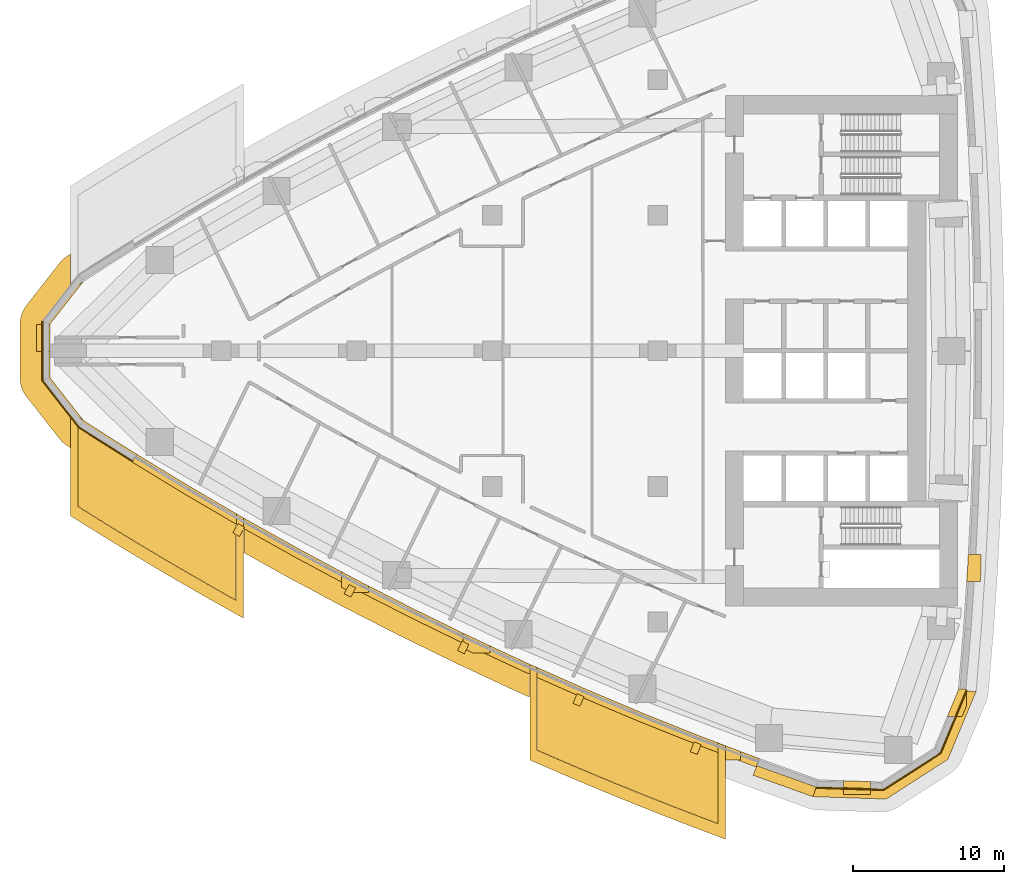
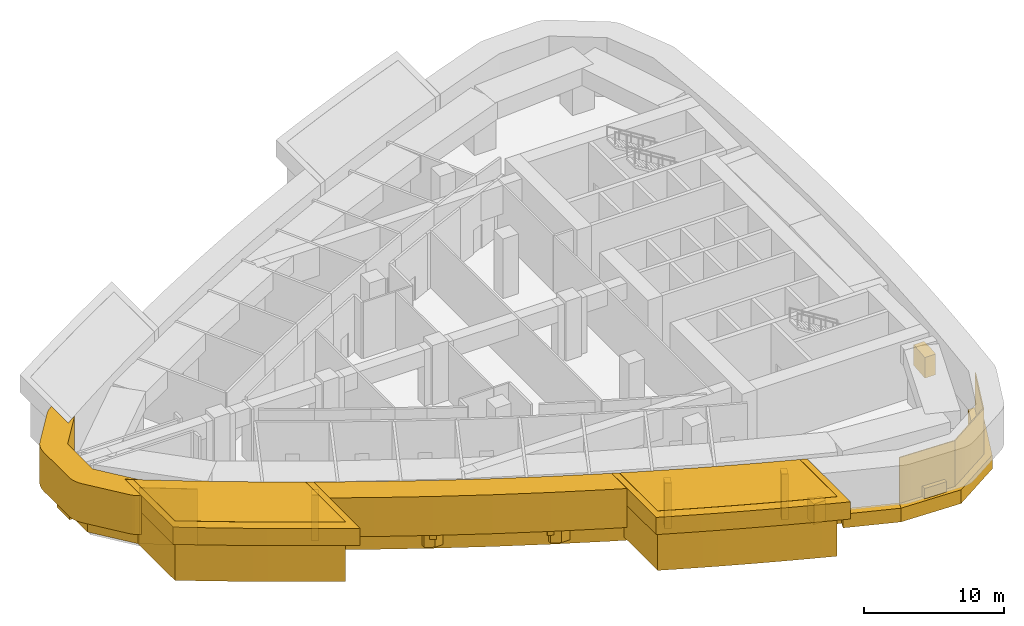
# One storey, part 13 of 17: 27 coverings.
"""IFC4 building model written with IfcOpenShell, lengths in metres."""

from ifc_helpers import new_model, si_unit, direction, frame, frame_2d, origin, place, context, subcontext, project, spatial, polyline, rectangle, outline, extrude, material, layer, layer_set, type_object, element, save


model = new_model("IFC4")

# Units and contexts
model_context = context("Model", 3, precision=1e-05, world=origin(), true_north=direction((0.0, 1.0)))
body_context = subcontext(model_context, "Body", "Model", "MODEL_VIEW")
ifc_project = project(units=[si_unit("LENGTHUNIT", "METRE"), si_unit("AREAUNIT", "SQUARE_METRE"), si_unit("VOLUMEUNIT", "CUBIC_METRE"), si_unit("PLANEANGLEUNIT", "RADIAN"), si_unit("MASSUNIT", "GRAM", prefix="KILO")], contexts=[model_context])

# Site, building, storey
site_placement = place(None, origin())
site = spatial("IfcSite", under=ifc_project, at=site_placement, CompositionType="ELEMENT")
building_placement = place(site_placement, origin())
building = spatial("IfcBuilding", under=site, at=building_placement, Name="Ostrand Prow Hotel Tower", CompositionType="ELEMENT")
storey_placement = place(building_placement, frame((0.0, 0.0, 75.10009765625)))
storey = spatial("IfcBuildingStorey", under=building, at=storey_placement, Name="L17", CompositionType="ELEMENT", Elevation=75.10009765625)

# Coverings
ifc_material_1 = material(Name="Limestone cladding", Category="masonry")
ifc_layer_1 = layer(ifc_material_1, 2.0)
ifc_layer_set_1 = layer_set([ifc_layer_1], Name="Limestone cladding")
covering_type_1 = type_object("IfcCoveringType", Name="Belt lip limestone", PredefinedType="CLADDING", material=ifc_layer_set_1)
covering_1_placement = place(storey_placement, frame((0.0, 0.0, 1.7998046875)))
element("IfcCovering", 1, at=covering_1_placement, inside=storey, type_object=covering_type_1, Name="Belt L17 1", PredefinedType="CLADDING", context=body_context, shape_type="SweptSolid", body=[
    extrude(outline(polyline([(5.789794921875, -6.306884765625), (5.989990234375, -6.433837890625), (5.989990234375, -4.05810546875), (5.989990234375, -4.05712890625), (5.990234375, -4.05615234375), (5.990478515625, -4.05517578125), (5.99072265625, -4.05419921875), (5.9912109375, -4.053466796875), (5.99169921875, -4.052490234375), (5.9921875, -4.0517578125), (5.992919921875, -4.051025390625), (5.99365234375, -4.05029296875), (5.994384765625, -4.0498046875), (5.9951171875, -4.04931640625), (5.99609375, -4.048828125), (5.9970703125, -4.048583984375), (5.998046875, -4.04833984375), (5.998779296875, -4.048095703125), (6.0, -4.048095703125), (6.0009765625, -4.048095703125), (6.001708984375, -4.048095703125), (6.002685546875, -4.048583984375), (6.003662109375, -4.048828125), (6.004638671875, -4.04931640625), (6.00537109375, -4.0498046875), (6.736083984375, -4.5244140625), (6.8408203125, -4.592041015625), (4.649169921875, -1.793701171875), (4.649169921875, 1.793701171875), (6.8408203125, 4.592041015625), (6.736083984375, 4.5244140625), (6.00537109375, 4.0498046875), (6.004638671875, 4.04931640625), (6.003662109375, 4.048828125), (6.002685546875, 4.048583984375), (6.001708984375, 4.048095703125), (6.0009765625, 4.048095703125), (6.0, 4.048095703125), (5.998779296875, 4.048095703125), (5.998046875, 4.04833984375), (5.9970703125, 4.048583984375), (5.99609375, 4.048828125), (5.9951171875, 4.04931640625), (5.994384765625, 4.0498046875), (5.99365234375, 4.05029296875), (5.992919921875, 4.051025390625), (5.9921875, 4.0517578125), (5.99169921875, 4.052490234375), (5.9912109375, 4.053466796875), (5.99072265625, 4.05419921875), (5.990478515625, 4.05517578125), (5.990234375, 4.05615234375), (5.989990234375, 4.05712890625), (5.989990234375, 4.05810546875), (5.989990234375, 6.433837890625), (5.789794921875, 6.306884765625), (5.60498046875, 6.17431640625), (5.436279296875, 6.021728515625), (5.2861328125, 5.850830078125), (3.074462890625, 3.026611328125), (2.96484375, 2.871826171875), (2.8701171875, 2.70751953125), (2.79150390625, 2.53466796875), (2.729736328125, 2.35546875), (2.68505859375, 2.1708984375), (2.658203125, 1.983154296875), (2.649169921875, 1.793701171875), (2.649169921875, -1.793701171875), (2.658203125, -1.983154296875), (2.68505859375, -2.1708984375), (2.729736328125, -2.35546875), (2.79150390625, -2.53466796875), (2.8701171875, -2.70751953125), (2.96484375, -2.871826171875), (3.074462890625, -3.026611328125), (5.2861328125, -5.850830078125), (5.436279296875, -6.021728515625), (5.60498046875, -6.17431640625), (5.789794921875, -6.306884765625)])), origin(), (0.0, 0.0, 1.0), 3.400146484375),
])
covering_2_placement = place(storey_placement, frame((0.0, 0.0, 1.7998046875)))
element("IfcCovering", 2, at=covering_2_placement, inside=storey, type_object=covering_type_1, Name="Belt L17 2", PredefinedType="CLADDING", context=body_context, shape_type="SweptSolid", body=[
    extrude(outline(polyline([(35.433349609375, -22.52294921875), (36.489990234375, -22.9921875), (36.489990234375, -20.810791015625), (36.489990234375, -20.809814453125), (36.490234375, -20.808837890625), (36.490478515625, -20.80810546875), (36.49072265625, -20.806884765625), (36.4912109375, -20.80615234375), (36.49169921875, -20.805419921875), (36.4921875, -20.8046875), (36.244873046875, -20.695068359375), (32.44677734375, -18.92431640625), (28.681884765625, -17.083984375), (24.951416015625, -15.1748046875), (21.2568359375, -13.197509765625), (17.59912109375, -11.152099609375), (17.510009765625, -11.10009765625), (17.510009765625, -13.393798828125), (20.28076171875, -14.943115234375), (20.31298828125, -14.960693359375), (24.0078125, -16.938232421875), (24.040283203125, -16.955322265625), (27.770751953125, -18.864501953125), (27.8037109375, -18.881103515625), (31.568603515625, -20.72119140625), (31.601806640625, -20.737060546875), (35.39990234375, -22.5078125), (35.433349609375, -22.52294921875)])), origin(), (0.0, 0.0, 1.0), 3.400146484375),
])
covering_3_placement = place(storey_placement, origin())
element("IfcCovering", 3, at=covering_3_placement, inside=storey, type_object=covering_type_1, Name="Belt fin 1 L17", PredefinedType="CLADDING", context=body_context, shape_type="SweptSolid", body=[
    extrude(outline(polyline([(4.649169921875, -0.038818359375), (4.649169921875, 1.76123046875), (3.749267578125, 1.76123046875), (3.749267578125, -0.038818359375), (4.649169921875, -0.038818359375)])), origin(), (0.0, 0.0, 1.0), 1.7998046875),
])
covering_4_placement = place(storey_placement, origin())
element("IfcCovering", 4, at=covering_4_placement, inside=storey, type_object=covering_type_1, Name="Belt fin 4 L17", PredefinedType="CLADDING", context=body_context, shape_type="SweptSolid", body=[
    extrude(outline(polyline([(24.54150390625, -15.97607421875), (24.6630859375, -16.038330078125), (25.783203125, -16.038330078125), (25.783203125, -15.6005859375), (24.951416015625, -15.1748046875), (23.983154296875, -14.65673828125), (23.983154296875, -15.677490234375), (24.52685546875, -15.968505859375), (24.54150390625, -15.97607421875)])), origin(), (0.0, 0.0, 1.0), 1.7998046875),
])
covering_5_placement = place(storey_placement, origin())
element("IfcCovering", 5, at=covering_5_placement, inside=storey, type_object=covering_type_1, Name="Belt fin 5 L17", PredefinedType="CLADDING", context=body_context, shape_type="SweptSolid", body=[
    extrude(outline(polyline([(32.072998046875, -19.7431640625), (32.7734375, -20.069580078125), (33.872802734375, -20.069580078125), (33.872802734375, -19.589111328125), (32.44677734375, -18.92431640625), (32.072998046875, -18.74169921875), (32.072998046875, -19.7431640625)])), origin(), (0.0, 0.0, 1.0), 1.7998046875),
])
covering_6_placement = place(storey_placement, origin())
element("IfcCovering", 6, at=covering_6_placement, inside=storey, type_object=covering_type_1, Name="Belt fin 7 L17", PredefinedType="CLADDING", context=body_context, shape_type="SweptSolid", body=[
    extrude(outline(polyline([(49.510009765625, -26.228759765625), (49.510009765625, -27.15625), (50.498779296875, -27.15625), (50.498779296875, -26.59765625), (49.50634765625, -26.22119140625), (49.5068359375, -26.2216796875), (49.507568359375, -26.222412109375), (49.50830078125, -26.22314453125), (49.5087890625, -26.22412109375), (49.50927734375, -26.224853515625), (49.509521484375, -26.225830078125), (49.509765625, -26.226806640625), (49.510009765625, -26.227783203125), (49.510009765625, -26.228759765625)])), origin(), (0.0, 0.0, 1.0), 1.7998046875),
])
covering_7_placement = place(storey_placement, origin())
element("IfcCovering", 7, at=covering_7_placement, inside=storey, type_object=covering_type_1, Name="Belt fin 8 L17", PredefinedType="CLADDING", context=body_context, shape_type="SweptSolid", body=[
    extrude(outline(polyline([(57.341552734375, -29.438720703125), (58.226806640625, -29.468017578125), (59.1416015625, -29.468017578125), (59.1416015625, -28.597412109375), (57.341552734375, -28.538330078125), (57.341552734375, -29.438720703125)])), origin(), (0.0, 0.0, 1.0), 1.7998046875),
])
covering_8_placement = place(storey_placement, origin())
element("IfcCovering", 8, at=covering_8_placement, inside=storey, type_object=covering_type_1, Name="Belt fin 9 L17", PredefinedType="CLADDING", context=body_context, shape_type="SweptSolid", body=[
    extrude(outline(polyline([(65.211181640625, -24.25732421875), (65.510986328125, -23.537353515625), (65.510986328125, -22.45751953125), (64.96533203125, -22.45751953125), (64.960205078125, -22.518310546875), (64.236083984375, -24.25732421875), (65.211181640625, -24.25732421875)])), origin(), (0.0, 0.0, 1.0), 1.7998046875),
])
covering_9_placement = place(storey_placement, origin())
element("IfcCovering", 9, at=covering_9_placement, inside=storey, type_object=covering_type_1, Name="Belt fin 10 L17", PredefinedType="CLADDING", context=body_context, shape_type="SweptSolid", body=[
    extrude(outline(polyline([(66.41552734375, -15.3115234375), (66.47412109375, -14.44189453125), (66.47412109375, -13.51171875), (65.62060546875, -13.51171875), (65.578857421875, -14.342041015625), (65.513671875, -15.3115234375), (66.41552734375, -15.3115234375)])), origin(), (0.0, 0.0, 1.0), 1.7998046875),
])
ifc_material_2 = material(Name="Bronze anodised aluminium cladding", Category="aluminium")
ifc_layer_2 = layer(ifc_material_2, 0.60009765625)
ifc_layer_set_2 = layer_set([ifc_layer_2], Name="Bronze anodised aluminium cladding")
covering_type_2 = type_object("IfcCoveringType", Name="Bronze spandrel band 1200x600", PredefinedType="CLADDING", material=ifc_layer_set_2)
covering_10_placement = place(storey_placement, frame((0.0, 0.0, -0.300048828125)))
element("IfcCovering", 10, at=covering_10_placement, inside=storey, type_object=covering_type_2, Name="Spandrel band S1", PredefinedType="CLADDING", context=body_context, shape_type="SweptSolid", body=[
    extrude(outline(polyline([(10.08349609375, -7.371337890625), (13.672607421875, -9.555419921875), (17.301513671875, -11.673095703125), (20.968994140625, -13.723876953125), (24.673095703125, -15.70654296875), (28.413330078125, -17.62060546875), (32.188232421875, -19.4658203125), (35.996337890625, -21.2412109375), (39.83642578125, -22.946044921875), (43.70751953125, -24.580078125), (47.607666015625, -26.142578125), (51.5361328125, -27.6328125), (51.743896484375, -27.070068359375), (47.82568359375, -25.58349609375), (43.935791015625, -24.025146484375), (40.074951171875, -22.3955078125), (36.244873046875, -20.695068359375), (32.44677734375, -18.92431640625), (28.681884765625, -17.083984375), (24.951416015625, -15.1748046875), (21.2568359375, -13.197509765625), (17.59912109375, -11.152099609375), (13.97998046875, -9.0400390625), (10.39990234375, -6.86181640625), (10.08349609375, -7.371337890625)])), origin(), (0.0, 0.0, 1.0), 1.199951171875),
])
covering_11_placement = place(storey_placement, frame((0.0, 0.0, -0.300048828125)))
element("IfcCovering", 11, at=covering_11_placement, inside=storey, type_object=covering_type_2, Name="Spandrel band back 1", PredefinedType="CLADDING", context=body_context, shape_type="SweptSolid", body=[
    extrude(outline(polyline([(51.335205078125, -28.177001953125), (55.300537109375, -29.5986328125), (55.524169921875, -28.956298828125), (51.57080078125, -27.5390625), (51.335205078125, -28.177001953125)])), origin(), (0.0, 0.0, 1.0), 1.199951171875),
])
covering_12_placement = place(storey_placement, frame((0.0, 0.0, -0.300048828125)))
element("IfcCovering", 12, at=covering_12_placement, inside=storey, type_object=covering_type_2, Name="Spandrel band back 2", PredefinedType="CLADDING", context=body_context, shape_type="SweptSolid", body=[
    extrude(outline(polyline([(55.300537109375, -29.5986328125), (60.16796875, -29.758056640625), (64.26318359375, -27.123046875), (66.13525390625, -22.627197265625), (65.537841796875, -22.572021484375), (63.802978515625, -26.73779296875), (60.008056640625, -29.1796875), (55.497802734375, -29.031982421875), (55.300537109375, -29.5986328125)])), origin(), (0.0, 0.0, 1.0), 1.199951171875),
])
ifc_material_3 = material(Name="Limestone cladding", Category="masonry")
ifc_layer_3 = layer(ifc_material_3, 5.0)
ifc_layer_set_3 = layer_set([ifc_layer_3], Name="Limestone cladding")
covering_type_3 = type_object("IfcCoveringType", Name="Portal jamb pilaster limestone", PredefinedType="CLADDING", material=ifc_layer_set_3)
covering_13_placement = place(storey_placement, origin())
element("IfcCovering", 13, at=covering_13_placement, inside=storey, type_object=covering_type_3, Name="Portal jamb SA L17", PredefinedType="CLADDING", context=body_context, shape_type="SweptSolid", body=[
    extrude(outline(polyline([(6.5, -4.3837890625), (6.5, -10.319580078125), (7.45458984375, -10.917724609375), (8.4091796875, -11.509521484375), (9.363525390625, -12.09521484375), (10.318115234375, -12.67431640625), (11.272705078125, -13.247314453125), (12.227294921875, -13.81396484375), (13.181884765625, -14.37451171875), (14.136474609375, -14.92919921875), (15.0908203125, -15.4775390625), (16.04541015625, -16.020263671875), (17.0, -16.556640625), (17.0, -10.80859375), (16.04541015625, -10.25634765625), (15.0908203125, -9.697998046875), (14.136474609375, -9.13330078125), (13.181884765625, -8.562255859375), (12.227294921875, -7.98486328125), (11.272705078125, -7.401123046875), (10.318115234375, -6.810791015625), (9.363525390625, -6.214111328125), (8.4091796875, -5.610595703125), (7.45458984375, -5.00048828125), (6.5, -4.3837890625)])), origin(), (0.0, 0.0, 1.0), 5.199951171875),
])
covering_14_placement = place(storey_placement, origin())
element("IfcCovering", 14, at=covering_14_placement, inside=storey, type_object=covering_type_3, Name="Portal jamb SB L17", PredefinedType="CLADDING", context=body_context, shape_type="SweptSolid", body=[
    extrude(outline(polyline([(37.0, -21.037109375), (37.0, -26.50927734375), (38.0, -26.945556640625), (39.0, -27.376220703125), (40.0, -27.801513671875), (41.0, -28.22119140625), (42.0, -28.635498046875), (43.0, -29.044189453125), (44.0, -29.447509765625), (45.0, -29.845703125), (46.0, -30.23828125), (47.0, -30.62548828125), (48.0, -31.0078125), (49.0, -31.384521484375), (49.0, -26.03759765625), (48.0, -25.6513671875), (47.0, -25.259765625), (46.0, -24.862548828125), (45.0, -24.459716796875), (44.0, -24.051513671875), (43.0, -23.637939453125), (42.0, -23.218505859375), (41.0, -22.793701171875), (40.0, -22.363037109375), (39.0, -21.9267578125), (38.0, -21.484619140625), (37.0, -21.037109375)])), origin(), (0.0, 0.0, 1.0), 5.199951171875),
])
ifc_material_4 = material(Name="Limestone cladding", Category="masonry")
ifc_layer_4 = layer(ifc_material_4, 4.0)
ifc_layer_set_4 = layer_set([ifc_layer_4], Name="Limestone cladding")
covering_type_4 = type_object("IfcCoveringType", Name="Portal lintel limestone", PredefinedType="CLADDING", material=ifc_layer_set_4)
covering_15_placement = place(storey_placement, frame((0.0, 0.0, 3.699951171875)))
element("IfcCovering", 15, at=covering_15_placement, inside=storey, type_object=covering_type_4, Name="Portal jamb cap SA L17", PredefinedType="CLADDING", context=body_context, shape_type="SweptSolid", body=[
    extrude(outline(polyline([(6.491943359375, -4.377685546875), (6.0, -4.05810546875), (6.0, -10.9501953125), (6.958251953125, -11.55126953125), (7.916748046875, -12.145751953125), (8.875, -12.734130859375), (9.833251953125, -13.31591796875), (10.791748046875, -13.8916015625), (11.75, -14.461181640625), (12.708251953125, -15.0244140625), (13.666748046875, -15.581787109375), (14.625, -16.1328125), (15.583251953125, -16.677978515625), (16.541748046875, -17.217041015625), (17.5, -17.750244140625), (17.5, -11.095458984375), (17.010009765625, -10.813720703125), (17.010009765625, -16.556640625), (17.010009765625, -16.5576171875), (17.009765625, -16.55859375), (17.009521484375, -16.559814453125), (17.00927734375, -16.560546875), (17.0087890625, -16.5615234375), (17.00830078125, -16.562255859375), (17.0078125, -16.56298828125), (17.007080078125, -16.56396484375), (17.00634765625, -16.564453125), (17.005615234375, -16.565185546875), (17.004638671875, -16.565673828125), (17.003662109375, -16.56591796875), (17.002685546875, -16.56640625), (17.001708984375, -16.566650390625), (17.000732421875, -16.566650390625), (16.999755859375, -16.566650390625), (16.998779296875, -16.566650390625), (16.997802734375, -16.56640625), (16.996826171875, -16.56640625), (16.99609375, -16.56591796875), (16.9951171875, -16.5654296875), (16.04052734375, -16.02880859375), (16.04052734375, -16.02880859375), (15.0859375, -15.486328125), (15.0859375, -15.486328125), (14.13134765625, -14.937744140625), (14.13134765625, -14.937744140625), (13.1767578125, -14.38330078125), (13.1767578125, -14.38330078125), (12.22216796875, -13.822509765625), (12.22216796875, -13.822509765625), (11.267578125, -13.255859375), (11.267578125, -13.255859375), (10.31298828125, -12.682861328125), (10.31298828125, -12.682861328125), (9.3583984375, -12.103515625), (9.3583984375, -12.103515625), (8.40380859375, -11.518310546875), (8.40380859375, -11.51806640625), (7.44921875, -10.92626953125), (7.44921875, -10.92626953125), (6.49462890625, -10.328125), (6.493896484375, -10.327392578125), (6.4931640625, -10.326904296875), (6.492431640625, -10.326171875), (6.49169921875, -10.3251953125), (6.4912109375, -10.324462890625), (6.49072265625, -10.323486328125), (6.490478515625, -10.322509765625), (6.490234375, -10.321533203125), (6.489990234375, -10.320556640625), (6.489990234375, -10.319580078125), (6.489990234375, -4.3837890625), (6.489990234375, -4.3828125), (6.490234375, -4.3818359375), (6.490478515625, -4.381103515625), (6.49072265625, -4.3798828125), (6.4912109375, -4.379150390625), (6.49169921875, -4.37841796875), (6.491943359375, -4.377685546875)])), origin(), (0.0, 0.0, 1.0), 1.5),
])
covering_16_placement = place(storey_placement, frame((0.0, 0.0, 3.699951171875)))
element("IfcCovering", 16, at=covering_16_placement, inside=storey, type_object=covering_type_4, Name="Portal jamb cap SB L17", PredefinedType="CLADDING", context=body_context, shape_type="SweptSolid", body=[
    extrude(outline(polyline([(36.9912109375, -21.0322265625), (36.5, -20.810791015625), (36.5, -27.163330078125), (37.5, -27.6005859375), (38.5, -28.032470703125), (39.5, -28.45849609375), (40.5, -28.87939453125), (41.5, -29.294677734375), (42.5, -29.70458984375), (43.5, -30.10888671875), (44.5, -30.508056640625), (45.5, -30.90185546875), (46.5, -31.290283203125), (47.5, -31.673583984375), (48.5, -32.051513671875), (49.5, -32.42431640625), (49.5, -26.228759765625), (49.010009765625, -26.041015625), (49.010009765625, -31.384521484375), (49.010009765625, -31.385498046875), (49.009765625, -31.386474609375), (49.009521484375, -31.387451171875), (49.00927734375, -31.38818359375), (49.0087890625, -31.38916015625), (49.00830078125, -31.389892578125), (49.0078125, -31.390869140625), (49.007080078125, -31.3916015625), (49.006591796875, -31.39208984375), (49.005615234375, -31.392822265625), (49.0048828125, -31.393310546875), (49.00390625, -31.393798828125), (49.003173828125, -31.39404296875), (49.002197265625, -31.394287109375), (49.001220703125, -31.39453125), (49.000244140625, -31.39453125), (48.999267578125, -31.39453125), (48.998291015625, -31.394287109375), (48.997314453125, -31.394287109375), (48.99658203125, -31.393798828125), (47.99658203125, -31.01708984375), (47.996337890625, -31.01708984375), (46.996337890625, -30.635009765625), (46.996337890625, -30.635009765625), (45.996337890625, -30.24755859375), (45.996337890625, -30.24755859375), (44.996337890625, -29.85498046875), (44.996337890625, -29.85498046875), (43.996337890625, -29.456787109375), (43.996337890625, -29.456787109375), (42.996337890625, -29.053466796875), (42.99609375, -29.053466796875), (41.99609375, -28.644775390625), (41.99609375, -28.64453125), (40.99609375, -28.23046875), (40.99609375, -28.23046875), (39.99609375, -27.810791015625), (39.99609375, -27.810791015625), (38.99609375, -27.385498046875), (38.99609375, -27.385498046875), (37.99609375, -26.954833984375), (37.99609375, -26.95458984375), (36.99609375, -26.5185546875), (36.9951171875, -26.51806640625), (36.994384765625, -26.517578125), (36.993408203125, -26.516845703125), (36.992919921875, -26.516357421875), (36.9921875, -26.515625), (36.99169921875, -26.514892578125), (36.9912109375, -26.513916015625), (36.99072265625, -26.51318359375), (36.990478515625, -26.51220703125), (36.990234375, -26.51123046875), (36.989990234375, -26.51025390625), (36.989990234375, -26.50927734375), (36.989990234375, -21.037109375), (36.989990234375, -21.035888671875), (36.990234375, -21.034912109375), (36.990478515625, -21.033935546875), (36.99072265625, -21.033203125), (36.9912109375, -21.0322265625)])), origin(), (0.0, 0.0, 1.0), 1.5),
])
ifc_material_5 = material(Name="Limestone cladding", Category="masonry")
ifc_layer_5 = layer(ifc_material_5, 0.5)
ifc_layer_set_5 = layer_set([ifc_layer_5], Name="Limestone cladding")
covering_type_5 = type_object("IfcCoveringType", Name="Precast stone fin 500x600", PredefinedType="CLADDING", material=ifc_layer_set_5)
for number, where, z_axis, x_axis, name in (
    (17, (17.351318359375, -11.58642578125, 0.89990234375), (0.0, 0.0, 1.0), (-0.496326736207, -0.868135802122, 0.0), "Stone fin S 3"),
    (18, (24.719482421875, -15.617919921875, 0.89990234375), (0.0, 0.0, 1.0), (-0.463602867837, -0.886043103316, 0.0), "Stone fin S 5"),
):
    element("IfcCovering", number, at=place(storey_placement, frame(where, z_axis=z_axis, x_axis=x_axis)), inside=storey, type_object=covering_type_5, Name=name, PredefinedType="CLADDING", context=body_context, shape_type="SweptSolid", body=[
        extrude(rectangle(XDim=0.699951171875, YDim=0.5, at=frame_2d((0.35009765625, 0.0))), origin(), (0.0, 0.0, 1.0), 4.0),
    ])
covering_17_placement = place(storey_placement, frame((32.231201171875, -19.37548828125, 0.89990234375), z_axis=(0.0, 0.0, 1.0), x_axis=(-0.430677943973, -0.902505683403, 0.0)))
element("IfcCovering", 19, at=covering_17_placement, inside=storey, type_object=covering_type_5, Name="Stone fin S 7", PredefinedType="CLADDING", context=body_context, shape_type="SweptSolid", body=[
    extrude(rectangle(XDim=0.7001953125, YDim=0.5, at=frame_2d((0.35009765625, 0.0))), origin(), (0.0, 0.0, 1.0), 4.0),
])
for number, where, z_axis, x_axis, name in (
    (20, (39.876220703125, -22.854248046875, 0.89990234375), (0.0, 0.0, 1.0), (-0.397284388642, -0.917695545669, 0.0), "Stone fin S 9"),
    (21, (47.64404296875, -26.04931640625, 0.89990234375), (0.0, 0.0, 1.0), (-0.363439124907, -0.931617948779, 0.0), "Stone fin S 11"),
):
    element("IfcCovering", number, at=place(storey_placement, frame(where, z_axis=z_axis, x_axis=x_axis)), inside=storey, type_object=covering_type_5, Name=name, PredefinedType="CLADDING", context=body_context, shape_type="SweptSolid", body=[
        extrude(rectangle(XDim=0.699951171875, YDim=0.5, at=frame_2d((0.35009765625, 0.0))), origin(), (0.0, 0.0, 1.0), 4.0),
    ])
ifc_material_6 = material(Name="Limestone cladding", Category="masonry")
ifc_layer_6 = layer(ifc_material_6, 0.080078125)
ifc_layer_set_6 = layer_set([ifc_layer_6], Name="Limestone cladding")
covering_type_6 = type_object("IfcCoveringType", Name="Warm limestone cladding 80 mm", PredefinedType="CLADDING", material=ifc_layer_set_6)
covering_18_placement = place(storey_placement, frame((4.138671875, 1.9697265625, 0.0), z_axis=(0.0, 0.0, 1.0), x_axis=(0.0, -1.0, 0.0)))
element("IfcCovering", 22, at=covering_18_placement, inside=storey, type_object=covering_type_6, Name="Limestone cladding prow 3", PredefinedType="CLADDING", context=body_context, shape_type="SweptSolid", body=[
    extrude(outline(polyline([(-0.013916015625, -0.0400390625), (3.953369140625, -0.0400390625), (3.925537109375, 0.0400390625), (0.013916015625, 0.0400390625), (-0.013916015625, -0.0400390625)])), origin(), (0.0, 0.0, 1.0), 4.89990234375),
])
covering_19_placement = place(storey_placement, frame((4.138671875, -1.9697265625, 0.0), z_axis=(0.0, 0.0, 1.0), x_axis=(0.616528819619, -0.787332340615, 0.0)))
element("IfcCovering", 23, at=covering_19_placement, inside=storey, type_object=covering_type_6, Name="Limestone cladding prow 4", PredefinedType="CLADDING", context=body_context, shape_type="SweptSolid", body=[
    extrude(outline(polyline([(-0.013916015625, -0.0400390625), (3.946044921875, -0.0400390625), (3.932373046875, 0.0400390625), (0.013916015625, 0.0400390625), (-0.013916015625, -0.0400390625)])), origin(), (0.0, 0.0, 1.0), 4.89990234375),
])
covering_20_placement = place(storey_placement, frame((6.5673828125, -5.0712890625, 0.0), z_axis=(0.0, 0.0, 1.0), x_axis=(0.844581661729, -0.535426761258, 0.0)))
element("IfcCovering", 24, at=covering_20_placement, inside=storey, type_object=covering_type_6, Name="Limestone cladding prow 5", PredefinedType="CLADDING", context=body_context, shape_type="SweptSolid", body=[
    extrude(outline(polyline([(-0.0068359375, -0.0400390625), (4.200439453125, -0.0400390625), (4.200439453125, 0.0400390625), (0.0068359375, 0.0400390625), (-0.0068359375, -0.0400390625)])), origin(), (0.0, 0.0, 1.0), 4.89990234375),
])
covering_21_placement = place(storey_placement, frame((55.510986328125, -28.994140625, 0.0), z_axis=(0.0, 0.0, 1.0), x_axis=(0.999463877056, -0.032740776731, 0.0)))
element("IfcCovering", 25, at=covering_21_placement, inside=storey, type_object=covering_type_6, Name="Limestone cladding back 2", PredefinedType="CLADDING", context=body_context, shape_type="SweptSolid", body=[
    extrude(outline(polyline([(-0.00634765625, -0.0400390625), (4.50146484375, -0.0400390625), (4.4765625, 0.0400390625), (0.00634765625, 0.0400390625), (-0.00634765625, -0.0400390625)])), origin(), (0.0, 0.0, 1.0), 4.89990234375),
])
covering_22_placement = place(storey_placement, frame((59.99755859375, -29.14111328125, 0.0), z_axis=(0.0, 0.0, 1.0), x_axis=(0.840952209207, 0.541109399133, 0.0)))
element("IfcCovering", 26, at=covering_22_placement, inside=storey, type_object=covering_type_6, Name="Limestone cladding back 3", PredefinedType="CLADDING", context=body_context, shape_type="SweptSolid", body=[
    extrude(outline(polyline([(-0.012451171875, -0.0400390625), (4.501220703125, -0.0400390625), (4.476318359375, 0.0400390625), (0.012451171875, 0.0400390625), (-0.012451171875, -0.0400390625)])), origin(), (0.0, 0.0, 1.0), 4.89990234375),
])
covering_23_placement = place(storey_placement, frame((63.7724609375, -26.712158203125, 0.0), z_axis=(0.0, 0.0, 1.0), x_axis=(0.38436048622, 0.923183089443, 0.0)))
element("IfcCovering", 27, at=covering_23_placement, inside=storey, type_object=covering_type_6, Name="Limestone cladding back 4", PredefinedType="CLADDING", context=body_context, shape_type="SweptSolid", body=[
    extrude(outline(polyline([(-0.012451171875, -0.0400390625), (4.4951171875, -0.0400390625), (4.482421875, 0.0400390625), (0.012451171875, 0.0400390625), (-0.012451171875, -0.0400390625)])), origin(), (0.0, 0.0, 1.0), 4.89990234375),
])

save(model, "model.ifc")
